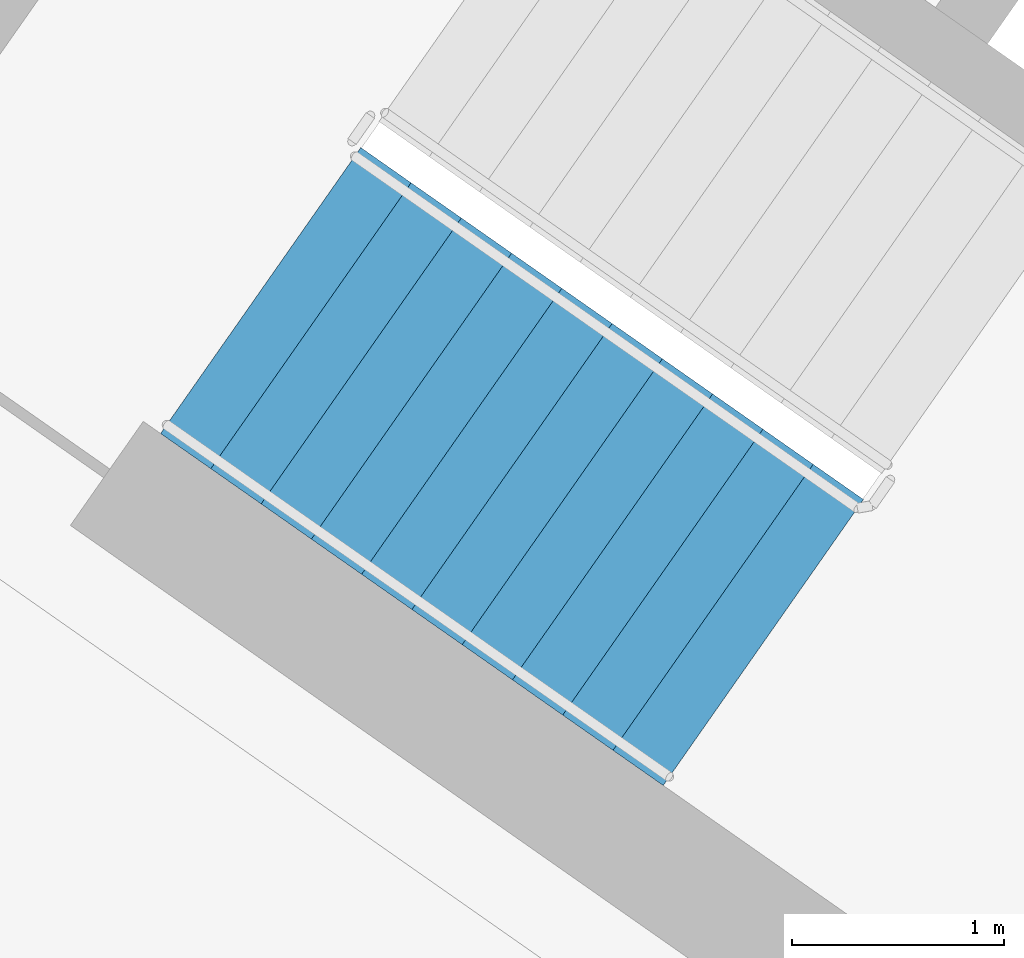
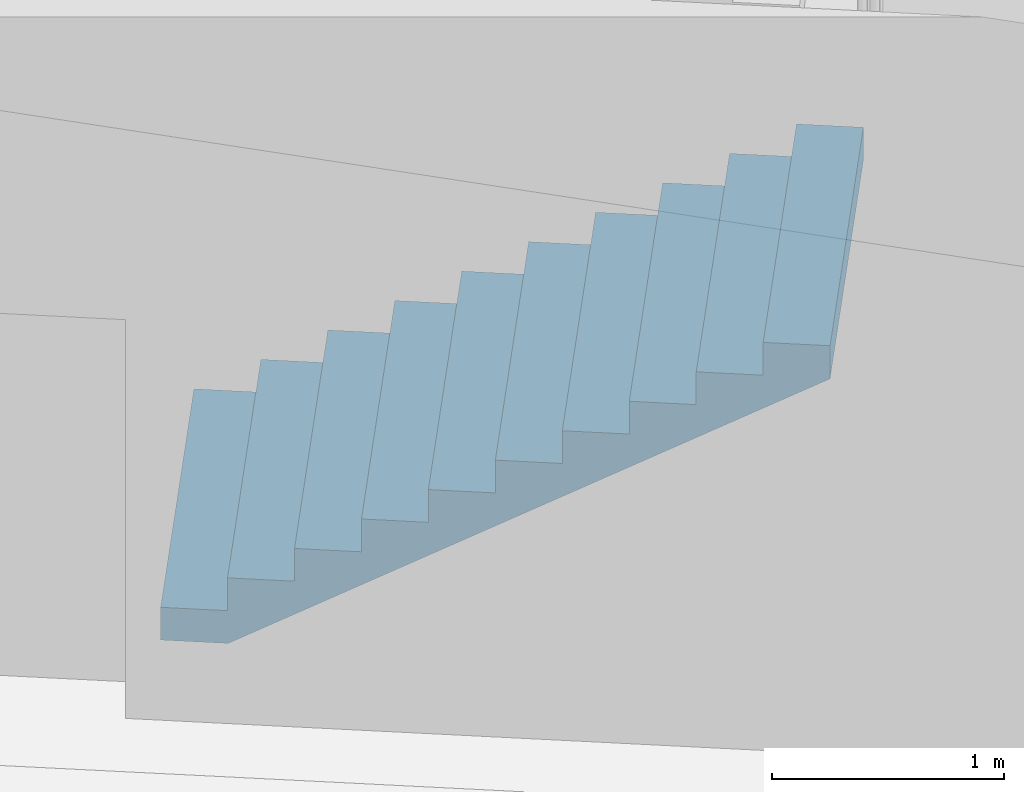
# One storey, part 10 of 28: 1 stair flight, 1 element without a shape of its own.
"""IFC4 building model written with IfcOpenShell, lengths in metres."""

from ifc_helpers import new_model, si_unit, direction, frame, origin, place, context, subcontext, project, spatial, faceted_brep, material, type_object, element, aggregate, save


model = new_model("IFC4")

# Units and contexts
model_context = context("Model", 3, precision=1e-05, world=origin(), true_north=direction((0.0, 1.0)))
body_context = subcontext(model_context, "Body", "Model", "MODEL_VIEW")
ifc_project = project(units=[si_unit("LENGTHUNIT", "METRE"), si_unit("AREAUNIT", "SQUARE_METRE"), si_unit("VOLUMEUNIT", "CUBIC_METRE"), si_unit("PLANEANGLEUNIT", "RADIAN"), si_unit("MASSUNIT", "GRAM", prefix="KILO")], contexts=[model_context])

# Site, building, storey
site_placement = place(None, origin())
site = spatial("IfcSite", under=ifc_project, at=site_placement, CompositionType="ELEMENT")
building_placement = place(site_placement, origin())
building = spatial("IfcBuilding", under=site, at=building_placement, Name="Qamariyya Broadcast Tower", CompositionType="ELEMENT")
storey_placement = place(building_placement, frame((0.0, 0.0, 234.10009765625)))
storey = spatial("IfcBuildingStorey", under=building, at=storey_placement, Name="L56", CompositionType="ELEMENT", Elevation=234.10009765625)

# Stair, stair flight
ifc_material = material(Name="Concrete C50/60", Category="concrete")
stair_type = type_object("IfcStairType", Name="Exit stair 22 risers of 173 mm", PredefinedType="HALF_TURN_STAIR", material=ifc_material)
stair_placement = place(storey_placement, origin())
stair = element("IfcStair", 1, at=stair_placement, inside=storey, type_object=stair_type, Name="L56 Stair W1", PredefinedType="HALF_TURN_STAIR")
stair_flight_type = type_object("IfcStairFlightType", Name="Exit stair flight 11 risers of 173 mm", PredefinedType="STRAIGHT", material=ifc_material)
stair_flight_placement = place(storey_placement, frame((-47.06884765625, -56.982666015625, 0.0), z_axis=(0.0, 0.0, 1.0), x_axis=(0.819152044289, -0.573576436351, 0.0)))
stair_flight = element("IfcStairFlight", 2, at=stair_flight_placement, type_object=stair_flight_type, Name="ST-W1 flight 1", NumberOfRisers=11, NumberOfTreads=10, PredefinedType="STRAIGHT", RiserHeight=0.172727273, TreadLength=0.29, context=body_context, shape_type="Brep", body=[
    faceted_brep([(0.0, 0.824951171875, 0.0), (0.0, 0.824951171875, 0.172607421875), (0.2900390625, 0.824951171875, 0.172607421875), (0.2900390625, 0.824951171875, 0.345458984375), (0.580078125, 0.824951171875, 0.345458984375), (0.580078125, 0.824951171875, 0.51806640625), (0.8701171875, 0.824951171875, 0.51806640625), (0.8701171875, 0.824951171875, 0.69091796875), (1.159912109375, 0.824951171875, 0.69091796875), (1.159912109375, 0.824951171875, 0.863525390625), (1.449951171875, 0.824951171875, 0.863525390625), (1.449951171875, 0.824951171875, 1.036376953125), (1.739990234375, 0.824951171875, 1.036376953125), (1.739990234375, 0.824951171875, 1.208984375), (2.030029296875, 0.824951171875, 1.208984375), (2.030029296875, 0.824951171875, 1.3818359375), (2.320068359375, 0.824951171875, 1.3818359375), (2.320068359375, 0.824951171875, 1.554443359375), (2.610107421875, 0.824951171875, 1.554443359375), (2.610107421875, 0.824951171875, 1.727294921875), (2.89990234375, 0.824951171875, 1.727294921875), (2.89990234375, 0.824951171875, 1.552734375), (0.29296875, 0.824951171875, 0.0), (0.29296875, -0.824951171875, 0.0), (2.89990234375, -0.824951171875, 1.552734375), (2.89990234375, -0.824951171875, 1.727294921875), (2.610107421875, -0.824951171875, 1.727294921875), (2.610107421875, -0.824951171875, 1.554443359375), (2.320068359375, -0.824951171875, 1.554443359375), (2.320068359375, -0.824951171875, 1.3818359375), (2.030029296875, -0.824951171875, 1.3818359375), (2.030029296875, -0.824951171875, 1.208984375), (1.739990234375, -0.824951171875, 1.208984375), (1.739990234375, -0.824951171875, 1.036376953125), (1.449951171875, -0.824951171875, 1.036376953125), (1.449951171875, -0.824951171875, 0.863525390625), (1.159912109375, -0.824951171875, 0.863525390625), (1.159912109375, -0.824951171875, 0.69091796875), (0.8701171875, -0.824951171875, 0.69091796875), (0.8701171875, -0.824951171875, 0.51806640625), (0.580078125, -0.824951171875, 0.51806640625), (0.580078125, -0.824951171875, 0.345458984375), (0.2900390625, -0.824951171875, 0.345458984375), (0.2900390625, -0.824951171875, 0.172607421875), (0.0, -0.824951171875, 0.172607421875), (0.0, -0.824951171875, 0.0), (0.0, 0.10009765625, 0.0), (0.0, 0.086669921875, 0.0), (0.0, 0.0732421875, 0.0), (0.0, 0.06005859375, 0.0), (0.0, 0.046630859375, 0.0), (0.0, 0.033447265625, 0.0), (0.0, 0.02001953125, 0.0), (0.0, 0.006591796875, 0.0), (0.0, -0.006591796875, 0.0), (0.0, -0.02001953125, 0.0), (0.0, -0.033447265625, 0.0), (0.0, -0.046630859375, 0.0), (0.0, -0.06005859375, 0.0), (0.0, -0.0732421875, 0.0), (0.0, -0.086669921875, 0.0), (0.0, -0.10009765625, 0.0), (0.0, -0.10009765625, 0.172607421875), (0.0, -0.086669921875, 0.172607421875), (0.0, -0.0732421875, 0.172607421875), (0.0, -0.06005859375, 0.172607421875), (0.0, -0.046630859375, 0.172607421875), (0.0, -0.033447265625, 0.172607421875), (0.0, -0.02001953125, 0.172607421875), (0.0, -0.006591796875, 0.172607421875), (0.0, 0.006591796875, 0.172607421875), (0.0, 0.02001953125, 0.172607421875), (0.0, 0.033447265625, 0.172607421875), (0.0, 0.046630859375, 0.172607421875), (0.0, 0.06005859375, 0.172607421875), (0.0, 0.0732421875, 0.172607421875), (0.0, 0.086669921875, 0.172607421875), (0.0, 0.10009765625, 0.172607421875), (0.2900390625, -0.10009765625, 0.172607421875), (0.2900390625, -0.086669921875, 0.172607421875), (0.2900390625, -0.0732421875, 0.172607421875), (0.2900390625, -0.06005859375, 0.172607421875), (0.2900390625, -0.046630859375, 0.172607421875), (0.2900390625, -0.033447265625, 0.172607421875), (0.2900390625, -0.02001953125, 0.172607421875), (0.2900390625, -0.006591796875, 0.172607421875), (0.2900390625, 0.006591796875, 0.172607421875), (0.2900390625, 0.02001953125, 0.172607421875), (0.2900390625, 0.033447265625, 0.172607421875), (0.2900390625, 0.046630859375, 0.172607421875), (0.2900390625, 0.06005859375, 0.172607421875), (0.2900390625, 0.0732421875, 0.172607421875), (0.2900390625, 0.086669921875, 0.172607421875), (0.2900390625, 0.10009765625, 0.172607421875), (0.2900390625, -0.10009765625, 0.345458984375), (0.2900390625, -0.086669921875, 0.345458984375), (0.2900390625, -0.0732421875, 0.345458984375), (0.2900390625, -0.06005859375, 0.345458984375), (0.2900390625, -0.046630859375, 0.345458984375), (0.2900390625, -0.033447265625, 0.345458984375), (0.2900390625, -0.02001953125, 0.345458984375), (0.2900390625, -0.006591796875, 0.345458984375), (0.2900390625, 0.006591796875, 0.345458984375), (0.2900390625, 0.02001953125, 0.345458984375), (0.2900390625, 0.033447265625, 0.345458984375), (0.2900390625, 0.046630859375, 0.345458984375), (0.2900390625, 0.06005859375, 0.345458984375), (0.2900390625, 0.0732421875, 0.345458984375), (0.2900390625, 0.086669921875, 0.345458984375), (0.2900390625, 0.10009765625, 0.345458984375), (0.580078125, -0.10009765625, 0.345458984375), (0.580078125, -0.086669921875, 0.345458984375), (0.580078125, -0.0732421875, 0.345458984375), (0.580078125, -0.06005859375, 0.345458984375), (0.580078125, -0.046630859375, 0.345458984375), (0.580078125, -0.033447265625, 0.345458984375), (0.580078125, -0.02001953125, 0.345458984375), (0.580078125, -0.006591796875, 0.345458984375), (0.580078125, 0.006591796875, 0.345458984375), (0.580078125, 0.02001953125, 0.345458984375), (0.580078125, 0.033447265625, 0.345458984375), (0.580078125, 0.046630859375, 0.345458984375), (0.580078125, 0.06005859375, 0.345458984375), (0.580078125, 0.0732421875, 0.345458984375), (0.580078125, 0.086669921875, 0.345458984375), (0.580078125, 0.10009765625, 0.345458984375), (0.580078125, -0.10009765625, 0.51806640625), (0.580078125, -0.086669921875, 0.51806640625), (0.580078125, -0.0732421875, 0.51806640625), (0.580078125, -0.06005859375, 0.51806640625), (0.580078125, -0.046630859375, 0.51806640625), (0.580078125, -0.033447265625, 0.51806640625), (0.580078125, -0.02001953125, 0.51806640625), (0.580078125, -0.006591796875, 0.51806640625), (0.580078125, 0.006591796875, 0.51806640625), (0.580078125, 0.02001953125, 0.51806640625), (0.580078125, 0.033447265625, 0.51806640625), (0.580078125, 0.046630859375, 0.51806640625), (0.580078125, 0.06005859375, 0.51806640625), (0.580078125, 0.0732421875, 0.51806640625), (0.580078125, 0.086669921875, 0.51806640625), (0.580078125, 0.10009765625, 0.51806640625), (0.8701171875, -0.10009765625, 0.51806640625), (0.8701171875, -0.086669921875, 0.51806640625), (0.8701171875, -0.0732421875, 0.51806640625), (0.8701171875, -0.06005859375, 0.51806640625), (0.8701171875, -0.046630859375, 0.51806640625), (0.8701171875, -0.033447265625, 0.51806640625), (0.8701171875, -0.02001953125, 0.51806640625), (0.8701171875, -0.006591796875, 0.51806640625), (0.8701171875, 0.006591796875, 0.51806640625), (0.8701171875, 0.02001953125, 0.51806640625), (0.8701171875, 0.033447265625, 0.51806640625), (0.8701171875, 0.046630859375, 0.51806640625), (0.8701171875, 0.06005859375, 0.51806640625), (0.8701171875, 0.0732421875, 0.51806640625), (0.8701171875, 0.086669921875, 0.51806640625), (0.8701171875, 0.10009765625, 0.51806640625), (0.8701171875, -0.10009765625, 0.69091796875), (0.8701171875, -0.086669921875, 0.69091796875), (0.8701171875, -0.0732421875, 0.69091796875), (0.8701171875, -0.06005859375, 0.69091796875), (0.8701171875, -0.046630859375, 0.69091796875), (0.8701171875, -0.033447265625, 0.69091796875), (0.8701171875, -0.02001953125, 0.69091796875), (0.8701171875, -0.006591796875, 0.69091796875), (0.8701171875, 0.006591796875, 0.69091796875), (0.8701171875, 0.02001953125, 0.69091796875), (0.8701171875, 0.033447265625, 0.69091796875), (0.8701171875, 0.046630859375, 0.69091796875), (0.8701171875, 0.06005859375, 0.69091796875), (0.8701171875, 0.0732421875, 0.69091796875), (0.8701171875, 0.086669921875, 0.69091796875), (0.8701171875, 0.10009765625, 0.69091796875), (1.159912109375, -0.10009765625, 0.69091796875), (1.159912109375, -0.086669921875, 0.69091796875), (1.159912109375, -0.0732421875, 0.69091796875), (1.159912109375, -0.06005859375, 0.69091796875), (1.159912109375, -0.046630859375, 0.69091796875), (1.159912109375, -0.033447265625, 0.69091796875), (1.159912109375, -0.02001953125, 0.69091796875), (1.159912109375, -0.006591796875, 0.69091796875), (1.159912109375, 0.006591796875, 0.69091796875), (1.159912109375, 0.02001953125, 0.69091796875), (1.159912109375, 0.033447265625, 0.69091796875), (1.159912109375, 0.046630859375, 0.69091796875), (1.159912109375, 0.06005859375, 0.69091796875), (1.159912109375, 0.0732421875, 0.69091796875), (1.159912109375, 0.086669921875, 0.69091796875), (1.159912109375, 0.10009765625, 0.69091796875), (1.159912109375, -0.10009765625, 0.863525390625), (1.159912109375, -0.086669921875, 0.863525390625), (1.159912109375, -0.0732421875, 0.863525390625), (1.159912109375, -0.06005859375, 0.863525390625), (1.159912109375, -0.046630859375, 0.863525390625), (1.159912109375, -0.033447265625, 0.863525390625), (1.159912109375, -0.02001953125, 0.863525390625), (1.159912109375, -0.006591796875, 0.863525390625), (1.159912109375, 0.006591796875, 0.863525390625), (1.159912109375, 0.02001953125, 0.863525390625), (1.159912109375, 0.033447265625, 0.863525390625), (1.159912109375, 0.046630859375, 0.863525390625), (1.159912109375, 0.06005859375, 0.863525390625), (1.159912109375, 0.0732421875, 0.863525390625), (1.159912109375, 0.086669921875, 0.863525390625), (1.159912109375, 0.10009765625, 0.863525390625), (1.449951171875, -0.10009765625, 0.863525390625), (1.449951171875, -0.086669921875, 0.863525390625), (1.449951171875, -0.0732421875, 0.863525390625), (1.449951171875, -0.06005859375, 0.863525390625), (1.449951171875, -0.046630859375, 0.863525390625), (1.449951171875, -0.033447265625, 0.863525390625), (1.449951171875, -0.02001953125, 0.863525390625), (1.449951171875, -0.006591796875, 0.863525390625), (1.449951171875, 0.006591796875, 0.863525390625), (1.449951171875, 0.02001953125, 0.863525390625), (1.449951171875, 0.033447265625, 0.863525390625), (1.449951171875, 0.046630859375, 0.863525390625), (1.449951171875, 0.06005859375, 0.863525390625), (1.449951171875, 0.0732421875, 0.863525390625), (1.449951171875, 0.086669921875, 0.863525390625), (1.449951171875, 0.10009765625, 0.863525390625), (1.449951171875, -0.10009765625, 1.036376953125), (1.449951171875, -0.086669921875, 1.036376953125), (1.449951171875, -0.0732421875, 1.036376953125), (1.449951171875, -0.06005859375, 1.036376953125), (1.449951171875, -0.046630859375, 1.036376953125), (1.449951171875, -0.033447265625, 1.036376953125), (1.449951171875, -0.02001953125, 1.036376953125), (1.449951171875, -0.006591796875, 1.036376953125), (1.449951171875, 0.006591796875, 1.036376953125), (1.449951171875, 0.02001953125, 1.036376953125), (1.449951171875, 0.033447265625, 1.036376953125), (1.449951171875, 0.046630859375, 1.036376953125), (1.449951171875, 0.06005859375, 1.036376953125), (1.449951171875, 0.0732421875, 1.036376953125), (1.449951171875, 0.086669921875, 1.036376953125), (1.449951171875, 0.10009765625, 1.036376953125), (1.739990234375, -0.10009765625, 1.036376953125), (1.739990234375, -0.086669921875, 1.036376953125), (1.739990234375, -0.0732421875, 1.036376953125), (1.739990234375, -0.06005859375, 1.036376953125), (1.739990234375, -0.046630859375, 1.036376953125), (1.739990234375, -0.033447265625, 1.036376953125), (1.739990234375, -0.02001953125, 1.036376953125), (1.739990234375, -0.006591796875, 1.036376953125), (1.739990234375, 0.006591796875, 1.036376953125), (1.739990234375, 0.02001953125, 1.036376953125), (1.739990234375, 0.033447265625, 1.036376953125), (1.739990234375, 0.046630859375, 1.036376953125), (1.739990234375, 0.06005859375, 1.036376953125), (1.739990234375, 0.0732421875, 1.036376953125), (1.739990234375, 0.086669921875, 1.036376953125), (1.739990234375, 0.10009765625, 1.036376953125), (1.739990234375, -0.10009765625, 1.208984375), (1.739990234375, -0.086669921875, 1.208984375), (1.739990234375, -0.0732421875, 1.208984375), (1.739990234375, -0.06005859375, 1.208984375), (1.739990234375, -0.046630859375, 1.208984375), (1.739990234375, -0.033447265625, 1.208984375), (1.739990234375, -0.02001953125, 1.208984375), (1.739990234375, -0.006591796875, 1.208984375), (1.739990234375, 0.006591796875, 1.208984375), (1.739990234375, 0.02001953125, 1.208984375), (1.739990234375, 0.033447265625, 1.208984375), (1.739990234375, 0.046630859375, 1.208984375), (1.739990234375, 0.06005859375, 1.208984375), (1.739990234375, 0.0732421875, 1.208984375), (1.739990234375, 0.086669921875, 1.208984375), (1.739990234375, 0.10009765625, 1.208984375), (2.030029296875, -0.10009765625, 1.208984375), (2.030029296875, -0.086669921875, 1.208984375), (2.030029296875, -0.0732421875, 1.208984375), (2.030029296875, -0.06005859375, 1.208984375), (2.030029296875, -0.046630859375, 1.208984375), (2.030029296875, -0.033447265625, 1.208984375), (2.030029296875, -0.02001953125, 1.208984375), (2.030029296875, -0.006591796875, 1.208984375), (2.030029296875, 0.006591796875, 1.208984375), (2.030029296875, 0.02001953125, 1.208984375), (2.030029296875, 0.033447265625, 1.208984375), (2.030029296875, 0.046630859375, 1.208984375), (2.030029296875, 0.06005859375, 1.208984375), (2.030029296875, 0.0732421875, 1.208984375), (2.030029296875, 0.086669921875, 1.208984375), (2.030029296875, 0.10009765625, 1.208984375), (2.030029296875, -0.10009765625, 1.3818359375), (2.030029296875, -0.086669921875, 1.3818359375), (2.030029296875, -0.0732421875, 1.3818359375), (2.030029296875, -0.06005859375, 1.3818359375), (2.030029296875, -0.046630859375, 1.3818359375), (2.030029296875, -0.033447265625, 1.3818359375), (2.030029296875, -0.02001953125, 1.3818359375), (2.030029296875, -0.006591796875, 1.3818359375), (2.030029296875, 0.006591796875, 1.3818359375), (2.030029296875, 0.02001953125, 1.3818359375), (2.030029296875, 0.033447265625, 1.3818359375), (2.030029296875, 0.046630859375, 1.3818359375), (2.030029296875, 0.06005859375, 1.3818359375), (2.030029296875, 0.0732421875, 1.3818359375), (2.030029296875, 0.086669921875, 1.3818359375), (2.030029296875, 0.10009765625, 1.3818359375), (2.320068359375, -0.10009765625, 1.3818359375), (2.320068359375, -0.086669921875, 1.3818359375), (2.320068359375, -0.0732421875, 1.3818359375), (2.320068359375, -0.06005859375, 1.3818359375), (2.320068359375, -0.046630859375, 1.3818359375), (2.320068359375, -0.033447265625, 1.3818359375), (2.320068359375, -0.02001953125, 1.3818359375), (2.320068359375, -0.006591796875, 1.3818359375), (2.320068359375, 0.006591796875, 1.3818359375), (2.320068359375, 0.02001953125, 1.3818359375), (2.320068359375, 0.033447265625, 1.3818359375), (2.320068359375, 0.046630859375, 1.3818359375), (2.320068359375, 0.06005859375, 1.3818359375), (2.320068359375, 0.0732421875, 1.3818359375), (2.320068359375, 0.086669921875, 1.3818359375), (2.320068359375, 0.10009765625, 1.3818359375), (2.320068359375, -0.10009765625, 1.554443359375), (2.320068359375, -0.086669921875, 1.554443359375), (2.320068359375, -0.0732421875, 1.554443359375), (2.320068359375, -0.06005859375, 1.554443359375), (2.320068359375, -0.046630859375, 1.554443359375), (2.320068359375, -0.033447265625, 1.554443359375), (2.320068359375, -0.02001953125, 1.554443359375), (2.320068359375, -0.006591796875, 1.554443359375), (2.320068359375, 0.006591796875, 1.554443359375), (2.320068359375, 0.02001953125, 1.554443359375), (2.320068359375, 0.033447265625, 1.554443359375), (2.320068359375, 0.046630859375, 1.554443359375), (2.320068359375, 0.06005859375, 1.554443359375), (2.320068359375, 0.0732421875, 1.554443359375), (2.320068359375, 0.086669921875, 1.554443359375), (2.320068359375, 0.10009765625, 1.554443359375), (2.610107421875, -0.10009765625, 1.554443359375), (2.610107421875, -0.086669921875, 1.554443359375), (2.610107421875, -0.0732421875, 1.554443359375), (2.610107421875, -0.06005859375, 1.554443359375), (2.610107421875, -0.046630859375, 1.554443359375), (2.610107421875, -0.033447265625, 1.554443359375), (2.610107421875, -0.02001953125, 1.554443359375), (2.610107421875, -0.006591796875, 1.554443359375), (2.610107421875, 0.006591796875, 1.554443359375), (2.610107421875, 0.02001953125, 1.554443359375), (2.610107421875, 0.033447265625, 1.554443359375), (2.610107421875, 0.046630859375, 1.554443359375), (2.610107421875, 0.06005859375, 1.554443359375), (2.610107421875, 0.0732421875, 1.554443359375), (2.610107421875, 0.086669921875, 1.554443359375), (2.610107421875, 0.10009765625, 1.554443359375), (2.610107421875, -0.10009765625, 1.727294921875), (2.610107421875, -0.086669921875, 1.727294921875), (2.610107421875, -0.0732421875, 1.727294921875), (2.610107421875, -0.06005859375, 1.727294921875), (2.610107421875, -0.046630859375, 1.727294921875), (2.610107421875, -0.033447265625, 1.727294921875), (2.610107421875, -0.02001953125, 1.727294921875), (2.610107421875, -0.006591796875, 1.727294921875), (2.610107421875, 0.006591796875, 1.727294921875), (2.610107421875, 0.02001953125, 1.727294921875), (2.610107421875, 0.033447265625, 1.727294921875), (2.610107421875, 0.046630859375, 1.727294921875), (2.610107421875, 0.06005859375, 1.727294921875), (2.610107421875, 0.0732421875, 1.727294921875), (2.610107421875, 0.086669921875, 1.727294921875), (2.610107421875, 0.10009765625, 1.727294921875), (2.89990234375, -0.10009765625, 1.727294921875), (2.89990234375, -0.086669921875, 1.727294921875), (2.89990234375, -0.0732421875, 1.727294921875), (2.89990234375, -0.06005859375, 1.727294921875), (2.89990234375, -0.046630859375, 1.727294921875), (2.89990234375, -0.033447265625, 1.727294921875), (2.89990234375, -0.02001953125, 1.727294921875), (2.89990234375, -0.006591796875, 1.727294921875), (2.89990234375, 0.006591796875, 1.727294921875), (2.89990234375, 0.02001953125, 1.727294921875), (2.89990234375, 0.033447265625, 1.727294921875), (2.89990234375, 0.046630859375, 1.727294921875), (2.89990234375, 0.06005859375, 1.727294921875), (2.89990234375, 0.0732421875, 1.727294921875), (2.89990234375, 0.086669921875, 1.727294921875), (2.89990234375, 0.10009765625, 1.727294921875), (2.89990234375, -0.10009765625, 1.552734375), (2.89990234375, -0.086669921875, 1.552734375), (2.89990234375, -0.0732421875, 1.552734375), (2.89990234375, -0.06005859375, 1.552734375), (2.89990234375, -0.046630859375, 1.552734375), (2.89990234375, -0.033447265625, 1.552734375), (2.89990234375, -0.02001953125, 1.552734375), (2.89990234375, -0.006591796875, 1.552734375), (2.89990234375, 0.006591796875, 1.552734375), (2.89990234375, 0.02001953125, 1.552734375), (2.89990234375, 0.033447265625, 1.552734375), (2.89990234375, 0.046630859375, 1.552734375), (2.89990234375, 0.06005859375, 1.552734375), (2.89990234375, 0.0732421875, 1.552734375), (2.89990234375, 0.086669921875, 1.552734375), (2.89990234375, 0.10009765625, 1.552734375), (0.29296875, -0.10009765625, 0.0), (0.29296875, -0.086669921875, 0.0), (0.29296875, -0.0732421875, 0.0), (0.29296875, -0.06005859375, 0.0), (0.29296875, -0.046630859375, 0.0), (0.29296875, -0.033447265625, 0.0), (0.29296875, -0.02001953125, 0.0), (0.29296875, -0.006591796875, 0.0), (0.29296875, 0.006591796875, 0.0), (0.29296875, 0.02001953125, 0.0), (0.29296875, 0.033447265625, 0.0), (0.29296875, 0.046630859375, 0.0), (0.29296875, 0.06005859375, 0.0), (0.29296875, 0.0732421875, 0.0), (0.29296875, 0.086669921875, 0.0), (0.29296875, 0.10009765625, 0.0)], [[[0, 1, 2, 3, 4, 5, 6, 7, 8, 9, 10, 11, 12, 13, 14, 15, 16, 17, 18, 19, 20, 21, 22]], [[23, 24, 25, 26, 27, 28, 29, 30, 31, 32, 33, 34, 35, 36, 37, 38, 39, 40, 41, 42, 43, 44, 45]], [[0, 46, 47, 48, 49, 50, 51, 52, 53, 54, 55, 56, 57, 58, 59, 60, 61, 45, 44, 62, 63, 64, 65, 66, 67, 68, 69, 70, 71, 72, 73, 74, 75, 76, 77, 1]], [[1, 77, 76, 75, 74, 73, 72, 71, 70, 69, 68, 67, 66, 65, 64, 63, 62, 44, 43, 78, 79, 80, 81, 82, 83, 84, 85, 86, 87, 88, 89, 90, 91, 92, 93, 2]], [[2, 93, 92, 91, 90, 89, 88, 87, 86, 85, 84, 83, 82, 81, 80, 79, 78, 43, 42, 94, 95, 96, 97, 98, 99, 100, 101, 102, 103, 104, 105, 106, 107, 108, 109, 3]], [[3, 109, 108, 107, 106, 105, 104, 103, 102, 101, 100, 99, 98, 97, 96, 95, 94, 42, 41, 110, 111, 112, 113, 114, 115, 116, 117, 118, 119, 120, 121, 122, 123, 124, 125, 4]], [[4, 125, 124, 123, 122, 121, 120, 119, 118, 117, 116, 115, 114, 113, 112, 111, 110, 41, 40, 126, 127, 128, 129, 130, 131, 132, 133, 134, 135, 136, 137, 138, 139, 140, 141, 5]], [[5, 141, 140, 139, 138, 137, 136, 135, 134, 133, 132, 131, 130, 129, 128, 127, 126, 40, 39, 142, 143, 144, 145, 146, 147, 148, 149, 150, 151, 152, 153, 154, 155, 156, 157, 6]], [[6, 157, 156, 155, 154, 153, 152, 151, 150, 149, 148, 147, 146, 145, 144, 143, 142, 39, 38, 158, 159, 160, 161, 162, 163, 164, 165, 166, 167, 168, 169, 170, 171, 172, 173, 7]], [[7, 173, 172, 171, 170, 169, 168, 167, 166, 165, 164, 163, 162, 161, 160, 159, 158, 38, 37, 174, 175, 176, 177, 178, 179, 180, 181, 182, 183, 184, 185, 186, 187, 188, 189, 8]], [[8, 189, 188, 187, 186, 185, 184, 183, 182, 181, 180, 179, 178, 177, 176, 175, 174, 37, 36, 190, 191, 192, 193, 194, 195, 196, 197, 198, 199, 200, 201, 202, 203, 204, 205, 9]], [[9, 205, 204, 203, 202, 201, 200, 199, 198, 197, 196, 195, 194, 193, 192, 191, 190, 36, 35, 206, 207, 208, 209, 210, 211, 212, 213, 214, 215, 216, 217, 218, 219, 220, 221, 10]], [[10, 221, 220, 219, 218, 217, 216, 215, 214, 213, 212, 211, 210, 209, 208, 207, 206, 35, 34, 222, 223, 224, 225, 226, 227, 228, 229, 230, 231, 232, 233, 234, 235, 236, 237, 11]], [[11, 237, 236, 235, 234, 233, 232, 231, 230, 229, 228, 227, 226, 225, 224, 223, 222, 34, 33, 238, 239, 240, 241, 242, 243, 244, 245, 246, 247, 248, 249, 250, 251, 252, 253, 12]], [[12, 253, 252, 251, 250, 249, 248, 247, 246, 245, 244, 243, 242, 241, 240, 239, 238, 33, 32, 254, 255, 256, 257, 258, 259, 260, 261, 262, 263, 264, 265, 266, 267, 268, 269, 13]], [[13, 269, 268, 267, 266, 265, 264, 263, 262, 261, 260, 259, 258, 257, 256, 255, 254, 32, 31, 270, 271, 272, 273, 274, 275, 276, 277, 278, 279, 280, 281, 282, 283, 284, 285, 14]], [[14, 285, 284, 283, 282, 281, 280, 279, 278, 277, 276, 275, 274, 273, 272, 271, 270, 31, 30, 286, 287, 288, 289, 290, 291, 292, 293, 294, 295, 296, 297, 298, 299, 300, 301, 15]], [[15, 301, 300, 299, 298, 297, 296, 295, 294, 293, 292, 291, 290, 289, 288, 287, 286, 30, 29, 302, 303, 304, 305, 306, 307, 308, 309, 310, 311, 312, 313, 314, 315, 316, 317, 16]], [[16, 317, 316, 315, 314, 313, 312, 311, 310, 309, 308, 307, 306, 305, 304, 303, 302, 29, 28, 318, 319, 320, 321, 322, 323, 324, 325, 326, 327, 328, 329, 330, 331, 332, 333, 17]], [[17, 333, 332, 331, 330, 329, 328, 327, 326, 325, 324, 323, 322, 321, 320, 319, 318, 28, 27, 334, 335, 336, 337, 338, 339, 340, 341, 342, 343, 344, 345, 346, 347, 348, 349, 18]], [[18, 349, 348, 347, 346, 345, 344, 343, 342, 341, 340, 339, 338, 337, 336, 335, 334, 27, 26, 350, 351, 352, 353, 354, 355, 356, 357, 358, 359, 360, 361, 362, 363, 364, 365, 19]], [[19, 365, 364, 363, 362, 361, 360, 359, 358, 357, 356, 355, 354, 353, 352, 351, 350, 26, 25, 366, 367, 368, 369, 370, 371, 372, 373, 374, 375, 376, 377, 378, 379, 380, 381, 20]], [[20, 381, 380, 379, 378, 377, 376, 375, 374, 373, 372, 371, 370, 369, 368, 367, 366, 25, 24, 382, 383, 384, 385, 386, 387, 388, 389, 390, 391, 392, 393, 394, 395, 396, 397, 21]], [[21, 397, 396, 395, 394, 393, 392, 391, 390, 389, 388, 387, 386, 385, 384, 383, 382, 24, 23, 398, 399, 400, 401, 402, 403, 404, 405, 406, 407, 408, 409, 410, 411, 412, 413, 22]], [[22, 413, 412, 411, 410, 409, 408, 407, 406, 405, 404, 403, 402, 401, 400, 399, 398, 23, 45, 61, 60, 59, 58, 57, 56, 55, 54, 53, 52, 51, 50, 49, 48, 47, 46, 0]]]),
])
aggregate(stair, [stair_flight])

save(model, "model.ifc")
